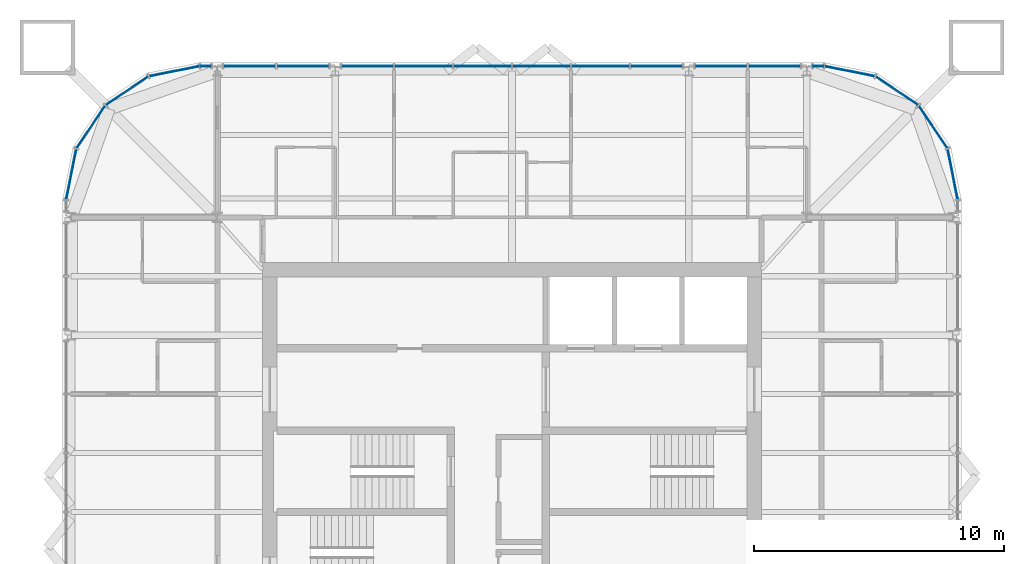
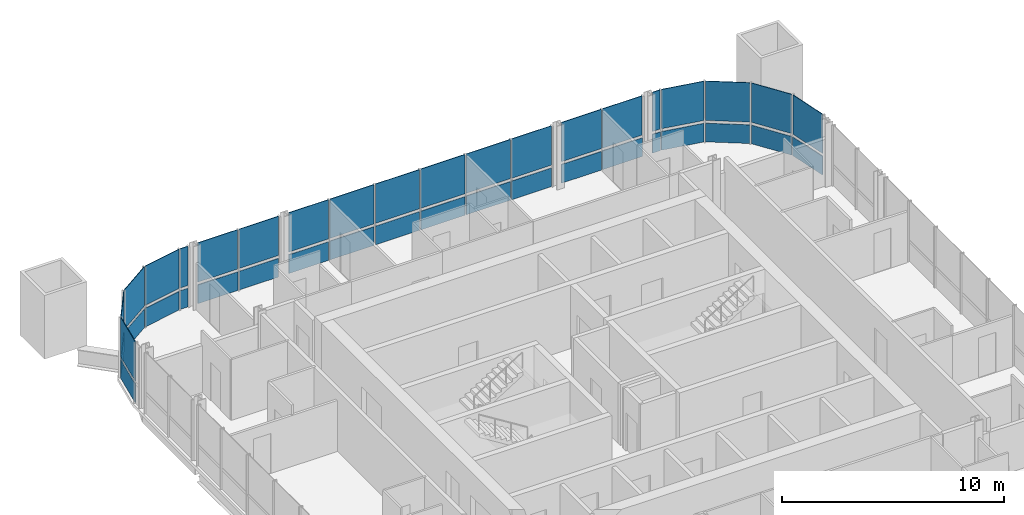
# One storey, part 12 of 17: 40 plates, 7 elements without a shape of their own.
"""IFC4 building model written with IfcOpenShell, lengths in metres."""

from ifc_helpers import new_model, si_unit, direction, frame, origin, origin_2d, place, context, subcontext, project, spatial, rectangle, extrude, material, layer, layer_set, type_object, element, aggregate, save


model = new_model("IFC4")

# Units and contexts
model_context = context("Model", 3, precision=1e-05, world=origin(), true_north=direction((0.0, 1.0)))
body_context = subcontext(model_context, "Body", "Model", "MODEL_VIEW")
ifc_project = project(units=[si_unit("LENGTHUNIT", "METRE"), si_unit("AREAUNIT", "SQUARE_METRE"), si_unit("VOLUMEUNIT", "CUBIC_METRE"), si_unit("PLANEANGLEUNIT", "RADIAN"), si_unit("MASSUNIT", "GRAM", prefix="KILO")], contexts=[model_context])

# Site, building, storey
site_placement = place(None, origin())
site = spatial("IfcSite", under=ifc_project, at=site_placement, CompositionType="ELEMENT")
building_placement = place(site_placement, origin())
building = spatial("IfcBuilding", under=site, at=building_placement, Name="Turquesa Mirador Hotel Tower", CompositionType="ELEMENT")
storey_placement = place(building_placement, frame((0.0, 0.0, 251.199951171875)))
storey = spatial("IfcBuildingStorey", under=building, at=storey_placement, Name="L68", CompositionType="ELEMENT", Elevation=251.199951171875)

# Curtain wall, plates
ifc_material_1 = material(Name="Aluminium extrusion", Category="aluminium")
curtain_wall_type = type_object("IfcCurtainWallType", Name="CW-4 SUITE FRITTED CURTAIN WALL", PredefinedType="USERDEFINED", material=ifc_material_1)
curtain_wall_1_placement = place(storey_placement, origin())
curtain_wall_1 = element("IfcCurtainWall", 1, at=curtain_wall_1_placement, inside=storey, type_object=curtain_wall_type, Name="CW-4 SUITE FRITTED CURTAIN WALL L68", ObjectType="CURTAIN WALL", PredefinedType="USERDEFINED")
ifc_material_2 = material(Name="Ceramic-printed spandrel glass on an insulated back pan", Category="glass")
ifc_layer_1 = layer(ifc_material_2, 0.050048828125)
ifc_layer_set_1 = layer_set([ifc_layer_1], Name="CW PANEL SPANDREL CERAMIC")
plate_type_1 = type_object("IfcPlateType", Name="CW PANEL SPANDREL CERAMIC", PredefinedType="CURTAIN_PANEL", material=ifc_layer_set_1)
plate_1_placement = place(storey_placement, frame((72.646484375, 58.523681640625, 0.0), z_axis=(0.0, 0.0, 1.0), x_axis=(-0.195090585221, 0.980785228048, 0.0)))
plate_1 = element("IfcPlate", 2, at=plate_1_placement, type_object=plate_type_1, Name="Panel", PredefinedType="CURTAIN_PANEL", context=body_context, shape_type="SweptSolid", body=[
    extrude(rectangle(XDim=2.0224609375, YDim=0.050048828125, at=origin_2d()), origin(), (0.0, 0.0, 1.0), 1.02490234375),
])
plate_2_placement = place(storey_placement, frame((71.86279296875, 60.415283203125, 0.0), z_axis=(0.0, 0.0, 1.0), x_axis=(-0.555570141754, 0.831469673284, 0.0)))
plate_2 = element("IfcPlate", 3, at=plate_2_placement, type_object=plate_type_1, Name="Panel", PredefinedType="CURTAIN_PANEL", context=body_context, shape_type="SweptSolid", body=[
    extrude(rectangle(XDim=2.0224609375, YDim=0.050048828125, at=origin_2d()), origin(), (0.0, 0.0, 1.0), 1.02490234375),
])
plate_3_placement = place(storey_placement, frame((70.415283203125, 61.86279296875, 0.0), z_axis=(0.0, 0.0, 1.0), x_axis=(-0.831469673284, 0.555570141754, 0.0)))
plate_3 = element("IfcPlate", 4, at=plate_3_placement, type_object=plate_type_1, Name="Panel", PredefinedType="CURTAIN_PANEL", context=body_context, shape_type="SweptSolid", body=[
    extrude(rectangle(XDim=2.0224609375, YDim=0.050048828125, at=origin_2d()), origin(), (0.0, 0.0, 1.0), 1.02490234375),
])
plate_4_placement = place(storey_placement, frame((68.523681640625, 62.646484375, 0.0), z_axis=(0.0, 0.0, 1.0), x_axis=(-0.980785228048, 0.195090585221, 0.0)))
plate_4 = element("IfcPlate", 5, at=plate_4_placement, type_object=plate_type_1, Name="Panel", PredefinedType="CURTAIN_PANEL", context=body_context, shape_type="SweptSolid", body=[
    extrude(rectangle(XDim=2.0224609375, YDim=0.050048828125, at=origin_2d()), origin(), (0.0, 0.0, 1.0), 1.02490234375),
])

# Curtain wall, plate
curtain_wall_2_placement = place(storey_placement, origin())
curtain_wall_2 = element("IfcCurtainWall", 6, at=curtain_wall_2_placement, inside=storey, type_object=curtain_wall_type, Name="CW-4 SUITE FRITTED CURTAIN WALL L68", ObjectType="CURTAIN WALL", PredefinedType="USERDEFINED")
plate_5_placement = place(storey_placement, frame((67.266845703125, 62.85009765625, 0.0), z_axis=(0.0, 0.0, 1.0), x_axis=(-1.0, 0.0, 0.0)))
plate_5 = element("IfcPlate", 7, at=plate_5_placement, type_object=plate_type_1, Name="Panel", PredefinedType="CURTAIN_PANEL", context=body_context, shape_type="SweptSolid", body=[
    extrude(rectangle(XDim=0.401123046875, YDim=0.050048828125, at=origin_2d()), origin(), (0.0, 0.0, 1.0), 1.02490234375),
])

# Curtain wall, plates
curtain_wall_3_placement = place(storey_placement, origin())
curtain_wall_3 = element("IfcCurtainWall", 8, at=curtain_wall_3_placement, inside=storey, type_object=curtain_wall_type, Name="CW-4 SUITE FRITTED CURTAIN WALL L68", ObjectType="CURTAIN WALL", PredefinedType="USERDEFINED")
plate_6_placement = place(storey_placement, frame((65.503173828125, 62.85009765625, 0.0), z_axis=(0.0, 0.0, 1.0), x_axis=(-1.0, 0.0, 0.0)))
plate_6 = element("IfcPlate", 9, at=plate_6_placement, type_object=plate_type_1, Name="Panel", PredefinedType="CURTAIN_PANEL", context=body_context, shape_type="SweptSolid", body=[
    extrude(rectangle(XDim=2.06103515625, YDim=0.050048828125, at=origin_2d()), origin(), (0.0, 0.0, 1.0), 1.02490234375),
])
plate_7_placement = place(storey_placement, frame((63.376953125, 62.85009765625, 0.0), z_axis=(0.0, 0.0, 1.0), x_axis=(-1.0, 0.0, 0.0)))
plate_7 = element("IfcPlate", 10, at=plate_7_placement, type_object=plate_type_1, Name="Panel", PredefinedType="CURTAIN_PANEL", context=body_context, shape_type="SweptSolid", body=[
    extrude(rectangle(XDim=2.06103515625, YDim=0.050048828125, at=origin_2d()), origin(), (0.0, 0.0, 1.0), 1.02490234375),
])

curtain_wall_4_placement = place(storey_placement, origin())
curtain_wall_4 = element("IfcCurtainWall", 11, at=curtain_wall_4_placement, inside=storey, type_object=curtain_wall_type, Name="CW-4 SUITE FRITTED CURTAIN WALL L68", ObjectType="CURTAIN WALL", PredefinedType="USERDEFINED")
plate_8_placement = place(storey_placement, frame((60.782958984375, 62.85009765625, 0.0), z_axis=(0.0, 0.0, 1.0), x_axis=(-1.0, 0.0, 0.0)))
plate_8 = element("IfcPlate", 12, at=plate_8_placement, type_object=plate_type_1, Name="Panel", PredefinedType="CURTAIN_PANEL", context=body_context, shape_type="SweptSolid", body=[
    extrude(rectangle(XDim=2.06103515625, YDim=0.050048828125, at=origin_2d()), origin(), (0.0, 0.0, 1.0), 1.02490234375),
])
plate_9_placement = place(storey_placement, frame((58.5400390625, 62.85009765625, 0.0), z_axis=(0.0, 0.0, 1.0), x_axis=(-1.0, 0.0, 0.0)))
plate_9 = element("IfcPlate", 13, at=plate_9_placement, type_object=plate_type_1, Name="Panel", PredefinedType="CURTAIN_PANEL", context=body_context, shape_type="SweptSolid", body=[
    extrude(rectangle(XDim=2.294921875, YDim=0.050048828125, at=origin_2d()), origin(), (0.0, 0.0, 1.0), 1.02490234375),
])
plate_10_placement = place(storey_placement, frame((56.179931640625, 62.85009765625, 0.0), z_axis=(0.0, 0.0, 1.0), x_axis=(-1.0, 0.0, 0.0)))
plate_10 = element("IfcPlate", 14, at=plate_10_placement, type_object=plate_type_1, Name="Panel", PredefinedType="CURTAIN_PANEL", context=body_context, shape_type="SweptSolid", body=[
    extrude(rectangle(XDim=2.294921875, YDim=0.050048828125, at=origin_2d()), origin(), (0.0, 0.0, 1.0), 1.02490234375),
])
plate_11_placement = place(storey_placement, frame((53.820068359375, 62.85009765625, 0.0), z_axis=(0.0, 0.0, 1.0), x_axis=(-1.0, 0.0, 0.0)))
plate_11 = element("IfcPlate", 15, at=plate_11_placement, type_object=plate_type_1, Name="Panel", PredefinedType="CURTAIN_PANEL", context=body_context, shape_type="SweptSolid", body=[
    extrude(rectangle(XDim=2.294921875, YDim=0.050048828125, at=origin_2d()), origin(), (0.0, 0.0, 1.0), 1.02490234375),
])
plate_12_placement = place(storey_placement, frame((51.4599609375, 62.85009765625, 0.0), z_axis=(0.0, 0.0, 1.0), x_axis=(-1.0, 0.0, 0.0)))
plate_12 = element("IfcPlate", 16, at=plate_12_placement, type_object=plate_type_1, Name="Panel", PredefinedType="CURTAIN_PANEL", context=body_context, shape_type="SweptSolid", body=[
    extrude(rectangle(XDim=2.294921875, YDim=0.050048828125, at=origin_2d()), origin(), (0.0, 0.0, 1.0), 1.02490234375),
])
plate_13_placement = place(storey_placement, frame((49.217041015625, 62.85009765625, 0.0), z_axis=(0.0, 0.0, 1.0), x_axis=(-1.0, 0.0, 0.0)))
plate_13 = element("IfcPlate", 17, at=plate_13_placement, type_object=plate_type_1, Name="Panel", PredefinedType="CURTAIN_PANEL", context=body_context, shape_type="SweptSolid", body=[
    extrude(rectangle(XDim=2.06103515625, YDim=0.050048828125, at=origin_2d()), origin(), (0.0, 0.0, 1.0), 1.02490234375),
])

curtain_wall_5_placement = place(storey_placement, origin())
curtain_wall_5 = element("IfcCurtainWall", 18, at=curtain_wall_5_placement, inside=storey, type_object=curtain_wall_type, Name="CW-4 SUITE FRITTED CURTAIN WALL L68", ObjectType="CURTAIN WALL", PredefinedType="USERDEFINED")
plate_14_placement = place(storey_placement, frame((46.623046875, 62.85009765625, 0.0), z_axis=(0.0, 0.0, 1.0), x_axis=(-1.0, 0.0, 0.0)))
plate_14 = element("IfcPlate", 19, at=plate_14_placement, type_object=plate_type_1, Name="Panel", PredefinedType="CURTAIN_PANEL", context=body_context, shape_type="SweptSolid", body=[
    extrude(rectangle(XDim=2.06103515625, YDim=0.050048828125, at=origin_2d()), origin(), (0.0, 0.0, 1.0), 1.02490234375),
])
plate_15_placement = place(storey_placement, frame((44.496826171875, 62.85009765625, 0.0), z_axis=(0.0, 0.0, 1.0), x_axis=(-1.0, 0.0, 0.0)))
plate_15 = element("IfcPlate", 20, at=plate_15_placement, type_object=plate_type_1, Name="Panel", PredefinedType="CURTAIN_PANEL", context=body_context, shape_type="SweptSolid", body=[
    extrude(rectangle(XDim=2.06103515625, YDim=0.050048828125, at=origin_2d()), origin(), (0.0, 0.0, 1.0), 1.02490234375),
])

# Curtain wall, plate
curtain_wall_6_placement = place(storey_placement, origin())
curtain_wall_6 = element("IfcCurtainWall", 21, at=curtain_wall_6_placement, inside=storey, type_object=curtain_wall_type, Name="CW-4 SUITE FRITTED CURTAIN WALL L68", ObjectType="CURTAIN WALL", PredefinedType="USERDEFINED")
plate_16_placement = place(storey_placement, frame((42.733154296875, 62.85009765625, 0.0), z_axis=(0.0, 0.0, 1.0), x_axis=(-1.0, 0.0, 0.0)))
plate_16 = element("IfcPlate", 22, at=plate_16_placement, type_object=plate_type_1, Name="Panel", PredefinedType="CURTAIN_PANEL", context=body_context, shape_type="SweptSolid", body=[
    extrude(rectangle(XDim=0.401123046875, YDim=0.050048828125, at=origin_2d()), origin(), (0.0, 0.0, 1.0), 1.02490234375),
])

# Curtain wall, plates
curtain_wall_7_placement = place(storey_placement, origin())
curtain_wall_7 = element("IfcCurtainWall", 23, at=curtain_wall_7_placement, inside=storey, type_object=curtain_wall_type, Name="CW-4 SUITE FRITTED CURTAIN WALL L68", ObjectType="CURTAIN WALL", PredefinedType="USERDEFINED")
plate_17_placement = place(storey_placement, frame((41.476318359375, 62.646484375, 0.0), z_axis=(0.0, 0.0, 1.0), x_axis=(-0.980785228048, -0.195090585221, 0.0)))
plate_17 = element("IfcPlate", 24, at=plate_17_placement, type_object=plate_type_1, Name="Panel", PredefinedType="CURTAIN_PANEL", context=body_context, shape_type="SweptSolid", body=[
    extrude(rectangle(XDim=2.0224609375, YDim=0.050048828125, at=origin_2d()), origin(), (0.0, 0.0, 1.0), 1.02490234375),
])
plate_18_placement = place(storey_placement, frame((39.584716796875, 61.86279296875, 0.0), z_axis=(0.0, 0.0, 1.0), x_axis=(-0.831469673284, -0.555570141754, 0.0)))
plate_18 = element("IfcPlate", 25, at=plate_18_placement, type_object=plate_type_1, Name="Panel", PredefinedType="CURTAIN_PANEL", context=body_context, shape_type="SweptSolid", body=[
    extrude(rectangle(XDim=2.0224609375, YDim=0.050048828125, at=origin_2d()), origin(), (0.0, 0.0, 1.0), 1.02490234375),
])
plate_19_placement = place(storey_placement, frame((38.13720703125, 60.415283203125, 0.0), z_axis=(0.0, 0.0, 1.0), x_axis=(-0.555570141754, -0.831469673284, 0.0)))
plate_19 = element("IfcPlate", 26, at=plate_19_placement, type_object=plate_type_1, Name="Panel", PredefinedType="CURTAIN_PANEL", context=body_context, shape_type="SweptSolid", body=[
    extrude(rectangle(XDim=2.0224609375, YDim=0.050048828125, at=origin_2d()), origin(), (0.0, 0.0, 1.0), 1.02490234375),
])
plate_20_placement = place(storey_placement, frame((37.353515625, 58.523681640625, 0.0), z_axis=(0.0, 0.0, 1.0), x_axis=(-0.195090585221, -0.980785228048, 0.0)))
plate_20 = element("IfcPlate", 27, at=plate_20_placement, type_object=plate_type_1, Name="Panel", PredefinedType="CURTAIN_PANEL", context=body_context, shape_type="SweptSolid", body=[
    extrude(rectangle(XDim=2.0224609375, YDim=0.050048828125, at=origin_2d()), origin(), (0.0, 0.0, 1.0), 1.02490234375),
])

# Plate
ifc_material_3 = material(Name="Ceramic-fritted laminated glass", Category="glass")
ifc_layer_2 = layer(ifc_material_3, 0.031982421875)
ifc_layer_set_2 = layer_set([ifc_layer_2], Name="CW PANEL VISION FRITTED")
plate_type_2 = type_object("IfcPlateType", Name="CW PANEL VISION FRITTED", PredefinedType="CURTAIN_PANEL", material=ifc_layer_set_2)
plate_21_placement = place(storey_placement, frame((72.646484375, 58.523681640625, 1.1748046875), z_axis=(0.0, 0.0, 1.0), x_axis=(-0.195090585221, 0.980785228048, 0.0)))
plate_21 = element("IfcPlate", 28, at=plate_21_placement, type_object=plate_type_2, Name="Panel", PredefinedType="CURTAIN_PANEL", context=body_context, shape_type="SweptSolid", body=[
    extrude(rectangle(XDim=2.0224609375, YDim=0.031982421875, at=origin_2d()), origin(), (0.0, 0.0, 1.0), 2.155029296875),
])

plate_22_placement = place(storey_placement, frame((71.86279296875, 60.415283203125, 1.1748046875), z_axis=(0.0, 0.0, 1.0), x_axis=(-0.555570141754, 0.831469673284, 0.0)))
plate_22 = element("IfcPlate", 29, at=plate_22_placement, type_object=plate_type_2, Name="Panel", PredefinedType="CURTAIN_PANEL", context=body_context, shape_type="SweptSolid", body=[
    extrude(rectangle(XDim=2.0224609375, YDim=0.031982421875, at=origin_2d()), origin(), (0.0, 0.0, 1.0), 2.155029296875),
])

plate_23_placement = place(storey_placement, frame((70.415283203125, 61.86279296875, 1.1748046875), z_axis=(0.0, 0.0, 1.0), x_axis=(-0.831469673284, 0.555570141754, 0.0)))
plate_23 = element("IfcPlate", 30, at=plate_23_placement, type_object=plate_type_2, Name="Panel", PredefinedType="CURTAIN_PANEL", context=body_context, shape_type="SweptSolid", body=[
    extrude(rectangle(XDim=2.0224609375, YDim=0.031982421875, at=origin_2d()), origin(), (0.0, 0.0, 1.0), 2.155029296875),
])

plate_24_placement = place(storey_placement, frame((68.523681640625, 62.646484375, 1.1748046875), z_axis=(0.0, 0.0, 1.0), x_axis=(-0.980785228048, 0.195090585221, 0.0)))
plate_24 = element("IfcPlate", 31, at=plate_24_placement, type_object=plate_type_2, Name="Panel", PredefinedType="CURTAIN_PANEL", context=body_context, shape_type="SweptSolid", body=[
    extrude(rectangle(XDim=2.0224609375, YDim=0.031982421875, at=origin_2d()), origin(), (0.0, 0.0, 1.0), 2.155029296875),
])

aggregate(curtain_wall_1, [plate_1, plate_21, plate_2, plate_22, plate_3, plate_23, plate_4, plate_24])

plate_25_placement = place(storey_placement, frame((67.266845703125, 62.85009765625, 1.1748046875), z_axis=(0.0, 0.0, 1.0), x_axis=(-1.0, 0.0, 0.0)))
plate_25 = element("IfcPlate", 32, at=plate_25_placement, type_object=plate_type_2, Name="Panel", PredefinedType="CURTAIN_PANEL", context=body_context, shape_type="SweptSolid", body=[
    extrude(rectangle(XDim=0.401123046875, YDim=0.031982421875, at=origin_2d()), origin(), (0.0, 0.0, 1.0), 2.155029296875),
])

aggregate(curtain_wall_2, [plate_5, plate_25])

plate_26_placement = place(storey_placement, frame((65.503173828125, 62.85009765625, 1.1748046875), z_axis=(0.0, 0.0, 1.0), x_axis=(-1.0, 0.0, 0.0)))
plate_26 = element("IfcPlate", 33, at=plate_26_placement, type_object=plate_type_2, Name="Panel", PredefinedType="CURTAIN_PANEL", context=body_context, shape_type="SweptSolid", body=[
    extrude(rectangle(XDim=2.06103515625, YDim=0.031982421875, at=origin_2d()), origin(), (0.0, 0.0, 1.0), 2.155029296875),
])

plate_27_placement = place(storey_placement, frame((63.376953125, 62.85009765625, 1.1748046875), z_axis=(0.0, 0.0, 1.0), x_axis=(-1.0, 0.0, 0.0)))
plate_27 = element("IfcPlate", 34, at=plate_27_placement, type_object=plate_type_2, Name="Panel", PredefinedType="CURTAIN_PANEL", context=body_context, shape_type="SweptSolid", body=[
    extrude(rectangle(XDim=2.06103515625, YDim=0.031982421875, at=origin_2d()), origin(), (0.0, 0.0, 1.0), 2.155029296875),
])

aggregate(curtain_wall_3, [plate_6, plate_26, plate_7, plate_27])

plate_28_placement = place(storey_placement, frame((60.782958984375, 62.85009765625, 1.1748046875), z_axis=(0.0, 0.0, 1.0), x_axis=(-1.0, 0.0, 0.0)))
plate_28 = element("IfcPlate", 35, at=plate_28_placement, type_object=plate_type_2, Name="Panel", PredefinedType="CURTAIN_PANEL", context=body_context, shape_type="SweptSolid", body=[
    extrude(rectangle(XDim=2.06103515625, YDim=0.031982421875, at=origin_2d()), origin(), (0.0, 0.0, 1.0), 2.155029296875),
])

plate_29_placement = place(storey_placement, frame((58.5400390625, 62.85009765625, 1.1748046875), z_axis=(0.0, 0.0, 1.0), x_axis=(-1.0, 0.0, 0.0)))
plate_29 = element("IfcPlate", 36, at=plate_29_placement, type_object=plate_type_2, Name="Panel", PredefinedType="CURTAIN_PANEL", context=body_context, shape_type="SweptSolid", body=[
    extrude(rectangle(XDim=2.294921875, YDim=0.031982421875, at=origin_2d()), origin(), (0.0, 0.0, 1.0), 2.155029296875),
])

plate_30_placement = place(storey_placement, frame((56.179931640625, 62.85009765625, 1.1748046875), z_axis=(0.0, 0.0, 1.0), x_axis=(-1.0, 0.0, 0.0)))
plate_30 = element("IfcPlate", 37, at=plate_30_placement, type_object=plate_type_2, Name="Panel", PredefinedType="CURTAIN_PANEL", context=body_context, shape_type="SweptSolid", body=[
    extrude(rectangle(XDim=2.294921875, YDim=0.031982421875, at=origin_2d()), origin(), (0.0, 0.0, 1.0), 2.155029296875),
])

plate_31_placement = place(storey_placement, frame((53.820068359375, 62.85009765625, 1.1748046875), z_axis=(0.0, 0.0, 1.0), x_axis=(-1.0, 0.0, 0.0)))
plate_31 = element("IfcPlate", 38, at=plate_31_placement, type_object=plate_type_2, Name="Panel", PredefinedType="CURTAIN_PANEL", context=body_context, shape_type="SweptSolid", body=[
    extrude(rectangle(XDim=2.294921875, YDim=0.031982421875, at=origin_2d()), origin(), (0.0, 0.0, 1.0), 2.155029296875),
])

plate_32_placement = place(storey_placement, frame((51.4599609375, 62.85009765625, 1.1748046875), z_axis=(0.0, 0.0, 1.0), x_axis=(-1.0, 0.0, 0.0)))
plate_32 = element("IfcPlate", 39, at=plate_32_placement, type_object=plate_type_2, Name="Panel", PredefinedType="CURTAIN_PANEL", context=body_context, shape_type="SweptSolid", body=[
    extrude(rectangle(XDim=2.294921875, YDim=0.031982421875, at=origin_2d()), origin(), (0.0, 0.0, 1.0), 2.155029296875),
])

plate_33_placement = place(storey_placement, frame((49.217041015625, 62.85009765625, 1.1748046875), z_axis=(0.0, 0.0, 1.0), x_axis=(-1.0, 0.0, 0.0)))
plate_33 = element("IfcPlate", 40, at=plate_33_placement, type_object=plate_type_2, Name="Panel", PredefinedType="CURTAIN_PANEL", context=body_context, shape_type="SweptSolid", body=[
    extrude(rectangle(XDim=2.06103515625, YDim=0.031982421875, at=origin_2d()), origin(), (0.0, 0.0, 1.0), 2.155029296875),
])

aggregate(curtain_wall_4, [plate_8, plate_28, plate_9, plate_29, plate_10, plate_30, plate_11, plate_31, plate_12, plate_32, plate_13, plate_33])

plate_34_placement = place(storey_placement, frame((46.623046875, 62.85009765625, 1.1748046875), z_axis=(0.0, 0.0, 1.0), x_axis=(-1.0, 0.0, 0.0)))
plate_34 = element("IfcPlate", 41, at=plate_34_placement, type_object=plate_type_2, Name="Panel", PredefinedType="CURTAIN_PANEL", context=body_context, shape_type="SweptSolid", body=[
    extrude(rectangle(XDim=2.06103515625, YDim=0.031982421875, at=origin_2d()), origin(), (0.0, 0.0, 1.0), 2.155029296875),
])

plate_35_placement = place(storey_placement, frame((44.496826171875, 62.85009765625, 1.1748046875), z_axis=(0.0, 0.0, 1.0), x_axis=(-1.0, 0.0, 0.0)))
plate_35 = element("IfcPlate", 42, at=plate_35_placement, type_object=plate_type_2, Name="Panel", PredefinedType="CURTAIN_PANEL", context=body_context, shape_type="SweptSolid", body=[
    extrude(rectangle(XDim=2.06103515625, YDim=0.031982421875, at=origin_2d()), origin(), (0.0, 0.0, 1.0), 2.155029296875),
])

aggregate(curtain_wall_5, [plate_14, plate_34, plate_15, plate_35])

plate_36_placement = place(storey_placement, frame((42.733154296875, 62.85009765625, 1.1748046875), z_axis=(0.0, 0.0, 1.0), x_axis=(-1.0, 0.0, 0.0)))
plate_36 = element("IfcPlate", 43, at=plate_36_placement, type_object=plate_type_2, Name="Panel", PredefinedType="CURTAIN_PANEL", context=body_context, shape_type="SweptSolid", body=[
    extrude(rectangle(XDim=0.401123046875, YDim=0.031982421875, at=origin_2d()), origin(), (0.0, 0.0, 1.0), 2.155029296875),
])

aggregate(curtain_wall_6, [plate_16, plate_36])

plate_37_placement = place(storey_placement, frame((41.476318359375, 62.646484375, 1.1748046875), z_axis=(0.0, 0.0, 1.0), x_axis=(-0.980785228048, -0.195090585221, 0.0)))
plate_37 = element("IfcPlate", 44, at=plate_37_placement, type_object=plate_type_2, Name="Panel", PredefinedType="CURTAIN_PANEL", context=body_context, shape_type="SweptSolid", body=[
    extrude(rectangle(XDim=2.0224609375, YDim=0.031982421875, at=origin_2d()), origin(), (0.0, 0.0, 1.0), 2.155029296875),
])

plate_38_placement = place(storey_placement, frame((39.584716796875, 61.86279296875, 1.1748046875), z_axis=(0.0, 0.0, 1.0), x_axis=(-0.831469673284, -0.555570141754, 0.0)))
plate_38 = element("IfcPlate", 45, at=plate_38_placement, type_object=plate_type_2, Name="Panel", PredefinedType="CURTAIN_PANEL", context=body_context, shape_type="SweptSolid", body=[
    extrude(rectangle(XDim=2.0224609375, YDim=0.031982421875, at=origin_2d()), origin(), (0.0, 0.0, 1.0), 2.155029296875),
])

plate_39_placement = place(storey_placement, frame((38.13720703125, 60.415283203125, 1.1748046875), z_axis=(0.0, 0.0, 1.0), x_axis=(-0.555570141754, -0.831469673284, 0.0)))
plate_39 = element("IfcPlate", 46, at=plate_39_placement, type_object=plate_type_2, Name="Panel", PredefinedType="CURTAIN_PANEL", context=body_context, shape_type="SweptSolid", body=[
    extrude(rectangle(XDim=2.0224609375, YDim=0.031982421875, at=origin_2d()), origin(), (0.0, 0.0, 1.0), 2.155029296875),
])

plate_40_placement = place(storey_placement, frame((37.353515625, 58.523681640625, 1.1748046875), z_axis=(0.0, 0.0, 1.0), x_axis=(-0.195090585221, -0.980785228048, 0.0)))
plate_40 = element("IfcPlate", 47, at=plate_40_placement, type_object=plate_type_2, Name="Panel", PredefinedType="CURTAIN_PANEL", context=body_context, shape_type="SweptSolid", body=[
    extrude(rectangle(XDim=2.0224609375, YDim=0.031982421875, at=origin_2d()), origin(), (0.0, 0.0, 1.0), 2.155029296875),
])

aggregate(curtain_wall_7, [plate_17, plate_37, plate_18, plate_38, plate_19, plate_39, plate_20, plate_40])

save(model, "model.ifc")
